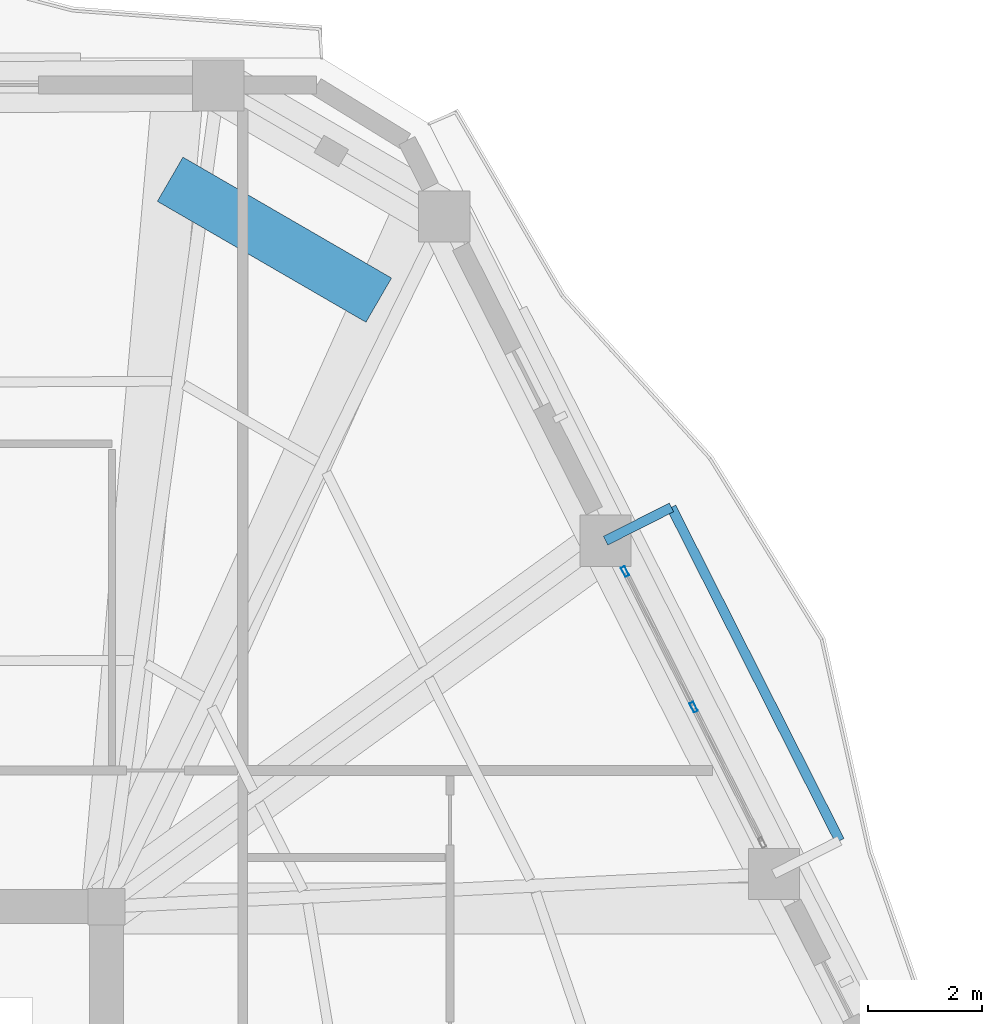
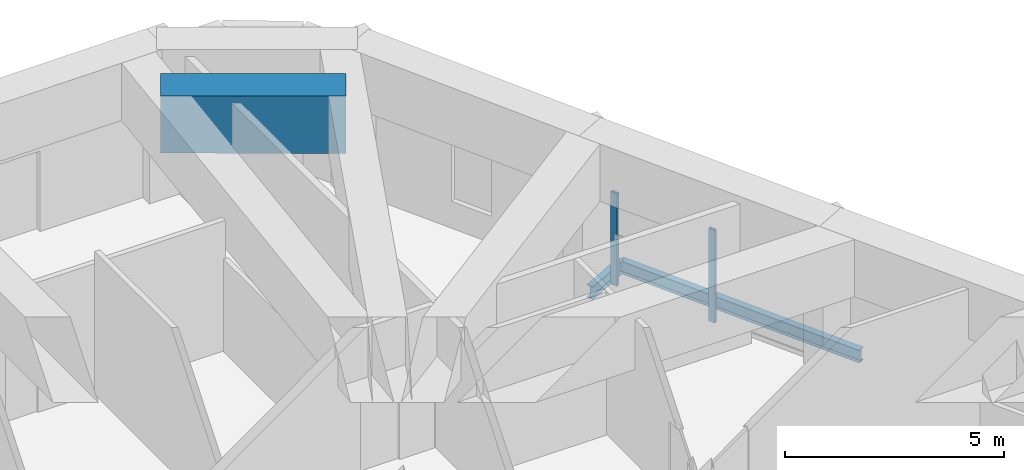
# One storey, part 11 of 20: 3 beams, 2 members, 1 element without a shape of its own.
"""IFC4 building model written with IfcOpenShell, lengths in metres."""

from ifc_helpers import new_model, si_unit, direction, frame, origin, origin_2d, place, context, subcontext, project, spatial, rectangle, hollow_rectangle, i_section, extrude, material, layer, layer_set, material_profile, profile_set, type_object, element, aggregate, save


model = new_model("IFC4")

# Units and contexts
model_context = context("Model", 3, precision=1e-05, world=origin(), true_north=direction((0.0, 1.0)))
body_context = subcontext(model_context, "Body", "Model", "MODEL_VIEW")
ifc_project = project(units=[si_unit("LENGTHUNIT", "METRE"), si_unit("AREAUNIT", "SQUARE_METRE"), si_unit("VOLUMEUNIT", "CUBIC_METRE"), si_unit("PLANEANGLEUNIT", "RADIAN"), si_unit("MASSUNIT", "GRAM", prefix="KILO")], contexts=[model_context])

# Site, building, storey
site_placement = place(None, origin())
site = spatial("IfcSite", under=ifc_project, at=site_placement, CompositionType="ELEMENT")
building_placement = place(site_placement, origin())
building = spatial("IfcBuilding", under=site, at=building_placement, Name="Cinnabar Lancet Tower", CompositionType="ELEMENT")
storey_placement = place(building_placement, frame((0.0, 0.0, 167.699951171875)))
storey = spatial("IfcBuildingStorey", under=building, at=storey_placement, Name="L44", CompositionType="ELEMENT", Elevation=167.699951171875)

# Curtain wall, members
ifc_material_1 = material(Name="Thermally broken bronze-anodized aluminium and low-E glass", Category="aluminium")
ifc_layer = layer(ifc_material_1, 0.179931640625)
ifc_layer_set = layer_set([ifc_layer], Name="Thermally broken bronze-anodized aluminium and low-E glass")
curtain_wall_type = type_object("IfcCurtainWallType", Name="ENV-CW-SYS-03", PredefinedType="NOTDEFINED", material=ifc_layer_set)
curtain_wall_placement = place(storey_placement, origin())
curtain_wall = element("IfcCurtainWall", 1, at=curtain_wall_placement, inside=storey, type_object=curtain_wall_type, Name="L44 Face 3 Feature Curtain Wall", PredefinedType="NOTDEFINED")
ifc_material_2 = material(Name="Anodized architectural aluminium 6063-T6", Category="aluminium")
ifc_material_profile_1 = material_profile(ifc_material_2, hollow_rectangle(XDim=0.074951171875, YDim=0.179931640625, WallThickness=0.00390625, InnerFilletRadius=0.001953125, OuterFilletRadius=0.006103515625, at=origin_2d()), Name="CW-MUL 180x75x4")
ifc_profile_set_1 = profile_set([ifc_material_profile_1], Name="Anodized architectural aluminium 6063-T6")
member_type = type_object("IfcMemberType", Name="ENV-CW-MUL-180", PredefinedType="MULLION", material=ifc_profile_set_1)
member_1_placement = place(storey_placement, frame((52.0390625, 36.715576171875, 0.0), z_axis=(0.0, 0.0, 1.0), x_axis=(-0.892309878501, -0.451423394088, 0.0)))
member_1 = element("IfcMember", 2, at=member_1_placement, type_object=member_type, Name="CW-03 mullion 2", PredefinedType="MULLION", context=body_context, shape_type="SweptSolid", body=[
    extrude(hollow_rectangle(XDim=0.074951171875, YDim=0.179931640625, WallThickness=0.00390625, InnerFilletRadius=0.001953125, OuterFilletRadius=0.006103515625, at=origin_2d()), origin(), (0.0, 0.0, 1.0), 2.590087890625),
])
member_2_placement = place(storey_placement, frame((50.83154296875, 39.102294921875, 0.0), z_axis=(0.0, 0.0, 1.0), x_axis=(-0.892309878501, -0.451423394088, 0.0)))
member_2 = element("IfcMember", 3, at=member_2_placement, type_object=member_type, Name="CW-03 mullion 3", PredefinedType="MULLION", context=body_context, shape_type="SweptSolid", body=[
    extrude(hollow_rectangle(XDim=0.074951171875, YDim=0.179931640625, WallThickness=0.00390625, InnerFilletRadius=0.001953125, OuterFilletRadius=0.006103515625, at=origin_2d()), origin(), (0.0, 0.0, 1.0), 2.590087890625),
])
aggregate(curtain_wall, [member_1, member_2])

# Beams
ifc_material_3 = material(Name="Concrete C70/85", Category="concrete")
ifc_material_profile_2 = material_profile(ifc_material_3, rectangle(XDim=0.89990234375, YDim=1.60009765625, at=origin_2d()), Name="RC-BG 900x1600")
ifc_profile_set_2 = profile_set([ifc_material_profile_2], Name="Concrete C70/85")
beam_type_1 = type_object("IfcBeamType", Name="STR-BM-BG-1600", PredefinedType="BEAM", material=ifc_profile_set_2)
beam_1_placement = place(storey_placement, frame((46.4951171875, 43.882080078125, 3.400146484375), z_axis=(-0.865241216859, 0.501355798459, 0.0), x_axis=(-0.501355798459, -0.865241216859, 0.0)))
element("IfcBeam", 4, at=beam_1_placement, inside=storey, type_object=beam_type_1, Name="L45 Setback Pilaster Transfer Chord 4", PredefinedType="BEAM", context=body_context, shape_type="SweptSolid", body=[
    extrude(rectangle(XDim=0.89990234375, YDim=1.60009765625, at=origin_2d()), origin(), (0.0, 0.0, 1.0), 4.246337890625),
])
ifc_material_4 = material(Name="Structural steel S355", Category="steel")
ifc_material_profile_3 = material_profile(ifc_material_4, i_section(OverallWidth=0.17138671875, OverallDepth=0.35498046875, WebThickness=0.00732421875, FlangeThickness=0.011474609375, FilletRadius=0.01025390625, at=origin_2d()), Name="UKB 356x171x51")
ifc_profile_set_3 = profile_set([ifc_material_profile_3], Name="Structural steel S355")
beam_type_2 = type_object("IfcBeamType", Name="STR-BM-WAV-OUT", PredefinedType="BEAM", material=ifc_profile_set_3)
beam_2_placement = place(storey_placement, frame((50.489013671875, 39.64501953125, -0.41796875), z_axis=(0.89227592947, 0.451490493464, 0.0), x_axis=(-0.451490493464, 0.89227592947, 0.0)))
element("IfcBeam", 5, at=beam_2_placement, inside=storey, type_object=beam_type_2, Name="L44 Face 3 Balcony Outlooker B", PredefinedType="BEAM", context=body_context, shape_type="SweptSolid", body=[
    extrude(i_section(OverallWidth=0.17138671875, OverallDepth=0.35498046875, WebThickness=0.00732421875, FlangeThickness=0.011474609375, FilletRadius=0.01025390625, at=origin_2d()), origin(), (0.0, 0.0, 1.0), 1.300048828125),
])
ifc_material_5 = material(Name="Structural steel S355", Category="steel")
ifc_material_profile_4 = material_profile(ifc_material_5, i_section(OverallWidth=0.17138671875, OverallDepth=0.35498046875, WebThickness=0.00732421875, FlangeThickness=0.011474609375, FilletRadius=0.01025390625, at=origin_2d()), Name="UKB 356x171x51")
ifc_profile_set_4 = profile_set([ifc_material_profile_4], Name="Structural steel S355")
beam_type_3 = type_object("IfcBeamType", Name="STR-BM-WAV-TRIM", PredefinedType="SPANDREL", material=ifc_profile_set_4)
beam_3_placement = place(storey_placement, frame((54.612060546875, 34.363037109375, -0.41796875), z_axis=(-0.450700828166, 0.892675060417, 0.0), x_axis=(-0.892675060417, -0.450700828166, 0.0)))
element("IfcBeam", 6, at=beam_3_placement, inside=storey, type_object=beam_type_3, Name="L44 Face 3 Balcony Edge Trimmer", PredefinedType="SPANDREL", context=body_context, shape_type="SweptSolid", body=[
    extrude(i_section(OverallWidth=0.17138671875, OverallDepth=0.35498046875, WebThickness=0.00732421875, FlangeThickness=0.011474609375, FilletRadius=0.01025390625, at=origin_2d()), origin(), (0.0, 0.0, 1.0), 6.574462890625),
])

save(model, "model.ifc")
